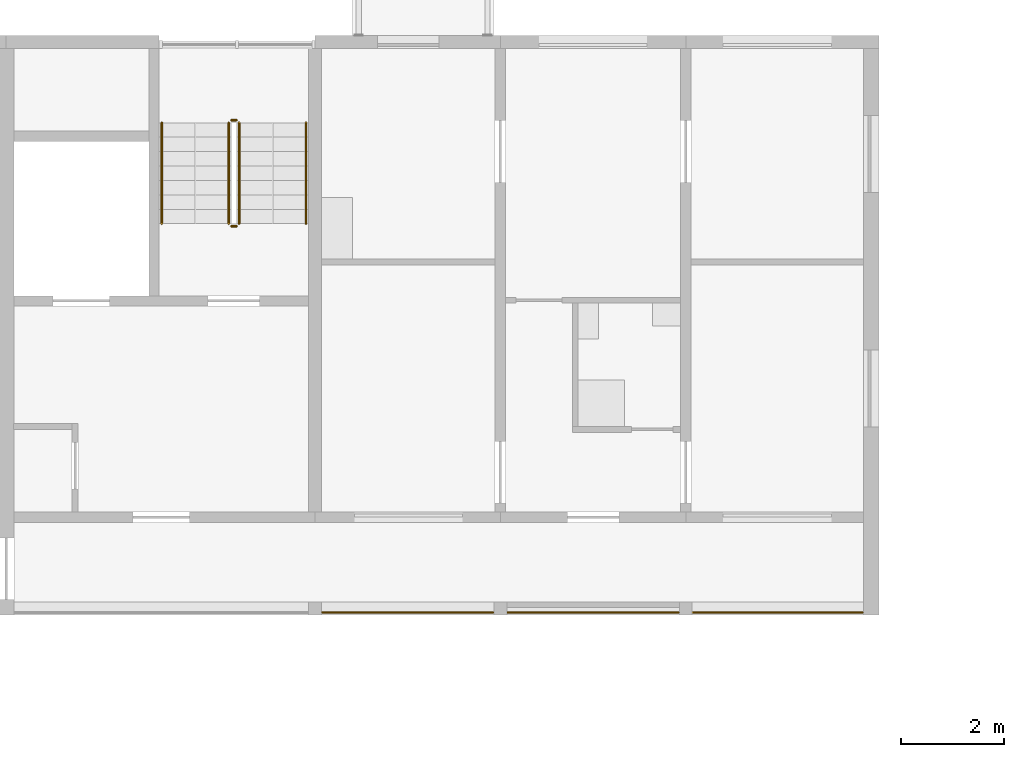
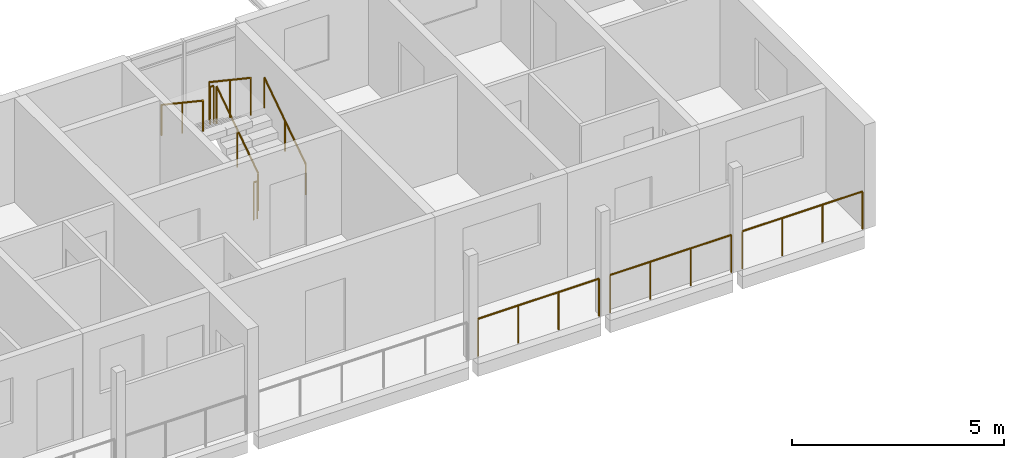
# One storey, part 85 of 98: 9 railings.
"""IFC4 building model written with IfcOpenShell, lengths in metres."""

from ifc_helpers import new_model, si_unit, direction, frame, origin, origin_2d, place, context, subcontext, project, spatial, circle, extrude, material, type_object, element, save


model = new_model("IFC4")

# Units and contexts
model_context = context("Model", 3, precision=1e-05, world=origin(), true_north=direction((0.0, 1.0)))
body_context = subcontext(model_context, "Body", "Model", "MODEL_VIEW")
ifc_project = project(units=[si_unit("LENGTHUNIT", "METRE"), si_unit("AREAUNIT", "SQUARE_METRE"), si_unit("VOLUMEUNIT", "CUBIC_METRE"), si_unit("PLANEANGLEUNIT", "RADIAN"), si_unit("MASSUNIT", "GRAM", prefix="KILO")], contexts=[model_context])

# Site, building, storey
site_placement = place(None, origin())
site = spatial("IfcSite", under=ifc_project, at=site_placement, CompositionType="ELEMENT")
building_placement = place(site_placement, origin())
building = spatial("IfcBuilding", under=site, at=building_placement, Name="Ridgestep Commons", CompositionType="ELEMENT")
storey_placement = place(building_placement, frame((0.0, 0.0, 12.0)))
storey = spatial("IfcBuildingStorey", under=building, at=storey_placement, Name="L04", CompositionType="ELEMENT", Elevation=12.0)

# Railings
ifc_material_1 = material(Name="Structural steel S355JR", Category="steel")
railing_type_1 = type_object("IfcRailingType", Name="Guard 1100", PredefinedType="GUARDRAIL", material=ifc_material_1)
railing_1_placement = place(storey_placement, frame((102.14599609375, 66.050048828125, 0.0)))
element("IfcRailing", 1, at=railing_1_placement, inside=storey, type_object=railing_type_1, Name="Gallery guard B 04.22", PredefinedType="GUARDRAIL", context=body_context, shape_type="SweptSolid", body=[
    extrude(circle(Radius=0.02392578125, at=origin_2d()), frame((0.0, 0.0, 1.076171875), z_axis=(1.0, 0.0, 0.0), x_axis=(0.0, 1.0, 0.0)), (0.0, 0.0, 1.0), 3.30810546875),
    extrude(circle(Radius=0.02099609375, at=origin_2d()), origin(), (0.0, 0.0, 1.0), 1.052001953125),
    extrude(circle(Radius=0.02099609375, at=origin_2d()), frame((1.102783203125, 0.0, 0.0)), (0.0, 0.0, 1.0), 1.052001953125),
    extrude(circle(Radius=0.02099609375, at=origin_2d()), frame((2.205322265625, 0.0, 0.0)), (0.0, 0.0, 1.0), 1.052001953125),
    extrude(circle(Radius=0.02099609375, at=origin_2d()), frame((3.30810546875, 0.0, 0.0)), (0.0, 0.0, 1.0), 1.052001953125),
])
railing_2_placement = place(storey_placement, frame((105.74609375, 66.050048828125, 0.0)))
element("IfcRailing", 2, at=railing_2_placement, inside=storey, type_object=railing_type_1, Name="Gallery guard B 04.23", PredefinedType="GUARDRAIL", context=body_context, shape_type="SweptSolid", body=[
    extrude(circle(Radius=0.02392578125, at=origin_2d()), frame((0.0, 0.0, 1.076171875), z_axis=(1.0, 0.0, 0.0), x_axis=(0.0, 1.0, 0.0)), (0.0, 0.0, 1.0), 3.307861328125),
    extrude(circle(Radius=0.02099609375, at=origin_2d()), origin(), (0.0, 0.0, 1.0), 1.052001953125),
    extrude(circle(Radius=0.02099609375, at=origin_2d()), frame((1.1025390625, 0.0, 0.0)), (0.0, 0.0, 1.0), 1.052001953125),
    extrude(circle(Radius=0.02099609375, at=origin_2d()), frame((2.205322265625, 0.0, 0.0)), (0.0, 0.0, 1.0), 1.052001953125),
    extrude(circle(Radius=0.02099609375, at=origin_2d()), frame((3.307861328125, 0.0, 0.0)), (0.0, 0.0, 1.0), 1.052001953125),
])
railing_3_placement = place(storey_placement, frame((109.345947265625, 66.050048828125, 0.0)))
element("IfcRailing", 3, at=railing_3_placement, inside=storey, type_object=railing_type_1, Name="Gallery guard B 04.24", PredefinedType="GUARDRAIL", context=body_context, shape_type="SweptSolid", body=[
    extrude(circle(Radius=0.02392578125, at=origin_2d()), frame((0.0, 0.0, 1.076171875), z_axis=(1.0, 0.0, 0.0), x_axis=(0.0, 1.0, 0.0)), (0.0, 0.0, 1.0), 3.282958984375),
    extrude(circle(Radius=0.02099609375, at=origin_2d()), origin(), (0.0, 0.0, 1.0), 1.052001953125),
    extrude(circle(Radius=0.02099609375, at=origin_2d()), frame((1.09423828125, 0.0, 0.0)), (0.0, 0.0, 1.0), 1.052001953125),
    extrude(circle(Radius=0.02099609375, at=origin_2d()), frame((2.188720703125, 0.0, 0.0)), (0.0, 0.0, 1.0), 1.052001953125),
    extrude(circle(Radius=0.02099609375, at=origin_2d()), frame((3.282958984375, 0.0, 0.0)), (0.0, 0.0, 1.0), 1.052001953125),
])
ifc_material_2 = material(Name="Structural steel S355JR", Category="steel")
railing_type_2 = type_object("IfcRailingType", Name="Stair guard 1100", PredefinedType="GUARDRAIL", material=ifc_material_2)
railing_4_placement = place(storey_placement, frame((100.52490234375, 73.60009765625, 0.1875)))
element("IfcRailing", 4, at=railing_4_placement, inside=storey, type_object=railing_type_2, Name="L04 B6C stair guard 1", PredefinedType="GUARDRAIL", context=body_context, shape_type="SweptSolid", body=[
    extrude(circle(Radius=0.02392578125, at=origin_2d()), frame((0.0, 0.0, 1.076171875), z_axis=(0.0, 0.830902050051, 0.556418712142), x_axis=(-1.0, 0.0, 0.0)), (0.0, 0.0, 1.0), 2.35888671875),
    extrude(circle(Radius=0.02099609375, at=origin_2d()), origin(), (0.0, 0.0, 1.0), 1.052001953125),
    extrude(circle(Radius=0.02099609375, at=origin_2d()), frame((0.0, 0.97998046875, 0.65625)), (0.0, 0.0, 1.0), 1.052001953125),
    extrude(circle(Radius=0.02099609375, at=origin_2d()), frame((0.0, 1.9599609375, 1.3125)), (0.0, 0.0, 1.0), 1.052001953125),
])
railing_5_placement = place(storey_placement, frame((100.47509765625, 75.610107421875, 1.5)))
element("IfcRailing", 5, at=railing_5_placement, inside=storey, type_object=railing_type_2, Name="L04 B6C stair guard 2", PredefinedType="GUARDRAIL", context=body_context, shape_type="SweptSolid", body=[
    extrude(circle(Radius=0.02392578125, at=origin_2d()), frame((0.0, 0.0, 1.076171875), z_axis=(-1.0, 0.0, 0.0), x_axis=(0.0, -1.0, 0.0)), (0.0, 0.0, 1.0), 0.10009765625),
    extrude(circle(Radius=0.02099609375, at=origin_2d()), origin(), (0.0, 0.0, 1.0), 1.052001953125),
    extrude(circle(Radius=0.02099609375, at=origin_2d()), frame((-0.10009765625, 0.0, 0.0)), (0.0, 0.0, 1.0), 1.052001953125),
])
railing_6_placement = place(storey_placement, frame((100.324951171875, 75.56005859375, 1.6875)))
element("IfcRailing", 6, at=railing_6_placement, inside=storey, type_object=railing_type_2, Name="L04 B6C stair guard 3", PredefinedType="GUARDRAIL", context=body_context, shape_type="SweptSolid", body=[
    extrude(circle(Radius=0.02392578125, at=origin_2d()), frame((0.0, 0.0, 1.076171875), z_axis=(0.0, -0.830902050051, 0.556418712142), x_axis=(1.0, 0.0, 0.0)), (0.0, 0.0, 1.0), 2.35888671875),
    extrude(circle(Radius=0.02099609375, at=origin_2d()), origin(), (0.0, 0.0, 1.0), 1.052001953125),
    extrude(circle(Radius=0.02099609375, at=origin_2d()), frame((0.0, -0.97998046875, 0.65625)), (0.0, 0.0, 1.0), 1.052001953125),
    extrude(circle(Radius=0.02099609375, at=origin_2d()), frame((0.0, -1.9599609375, 1.3125)), (0.0, 0.0, 1.0), 1.052001953125),
])
railing_7_placement = place(storey_placement, frame((100.47509765625, 73.550048828125, 0.0)))
element("IfcRailing", 7, at=railing_7_placement, inside=storey, type_object=railing_type_2, Name="L04 B6C stair guard 4", PredefinedType="GUARDRAIL", context=body_context, shape_type="SweptSolid", body=[
    extrude(circle(Radius=0.02392578125, at=origin_2d()), frame((0.0, 0.0, 1.076171875), z_axis=(-1.0, 0.0, 0.0), x_axis=(0.0, -1.0, 0.0)), (0.0, 0.0, 1.0), 0.10009765625),
    extrude(circle(Radius=0.02099609375, at=origin_2d()), origin(), (0.0, 0.0, 1.0), 1.052001953125),
    extrude(circle(Radius=0.02099609375, at=origin_2d()), frame((-0.10009765625, 0.0, 0.0)), (0.0, 0.0, 1.0), 1.052001953125),
])
ifc_material_3 = material(Name="Structural steel S355JR", Category="steel")
railing_type_3 = type_object("IfcRailingType", Name="Stair handrail 900", PredefinedType="HANDRAIL", material=ifc_material_3)
railing_8_placement = place(storey_placement, frame((101.824951171875, 73.60009765625, 0.1875)))
element("IfcRailing", 8, at=railing_8_placement, inside=storey, type_object=railing_type_3, Name="L04 B6C stair handrail 1", PredefinedType="HANDRAIL", context=body_context, shape_type="SweptSolid", body=[
    extrude(circle(Radius=0.02392578125, at=origin_2d()), frame((0.0, 0.0, 0.8759765625), z_axis=(0.0, 0.830902050051, 0.556418712142), x_axis=(-1.0, 0.0, 0.0)), (0.0, 0.0, 1.0), 2.35888671875),
    extrude(circle(Radius=0.02099609375, at=origin_2d()), origin(), (0.0, 0.0, 1.0), 0.851806640625),
    extrude(circle(Radius=0.02099609375, at=origin_2d()), frame((0.0, 0.97998046875, 0.65625)), (0.0, 0.0, 1.0), 0.851806640625),
    extrude(circle(Radius=0.02099609375, at=origin_2d()), frame((0.0, 1.9599609375, 1.3125)), (0.0, 0.0, 1.0), 0.851806640625),
])
railing_9_placement = place(storey_placement, frame((99.02490234375, 75.56005859375, 1.6875)))
element("IfcRailing", 9, at=railing_9_placement, inside=storey, type_object=railing_type_3, Name="L04 B6C stair handrail 2", PredefinedType="HANDRAIL", context=body_context, shape_type="SweptSolid", body=[
    extrude(circle(Radius=0.02392578125, at=origin_2d()), frame((0.0, 0.0, 0.8759765625), z_axis=(0.0, -0.830902050051, 0.556418712142), x_axis=(1.0, 0.0, 0.0)), (0.0, 0.0, 1.0), 2.35888671875),
    extrude(circle(Radius=0.02099609375, at=origin_2d()), origin(), (0.0, 0.0, 1.0), 0.851806640625),
    extrude(circle(Radius=0.02099609375, at=origin_2d()), frame((0.0, -0.97998046875, 0.65625)), (0.0, 0.0, 1.0), 0.851806640625),
    extrude(circle(Radius=0.02099609375, at=origin_2d()), frame((0.0, -1.9599609375, 1.3125)), (0.0, 0.0, 1.0), 0.851806640625),
])

save(model, "model.ifc")
